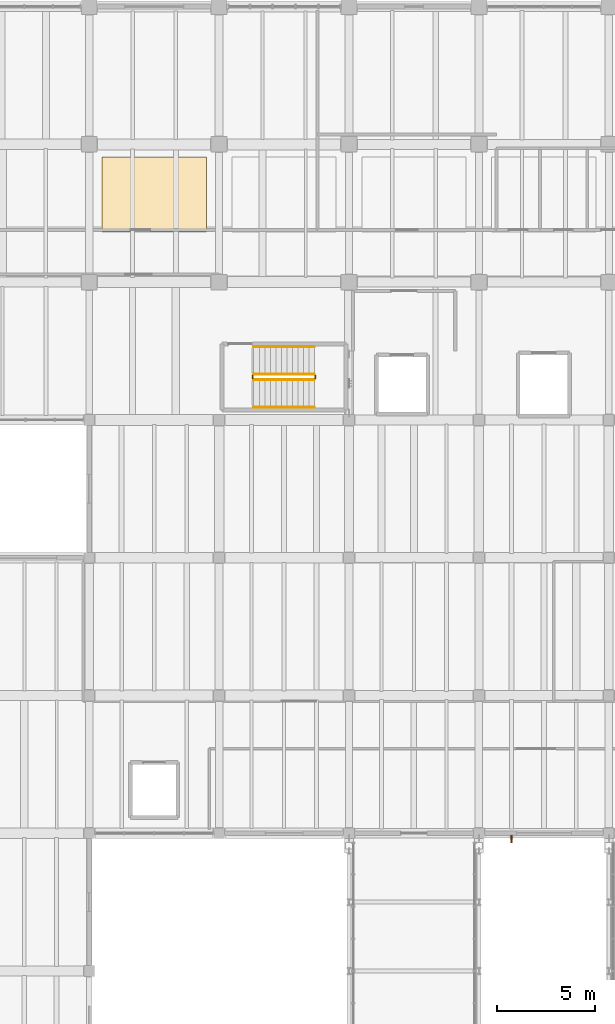
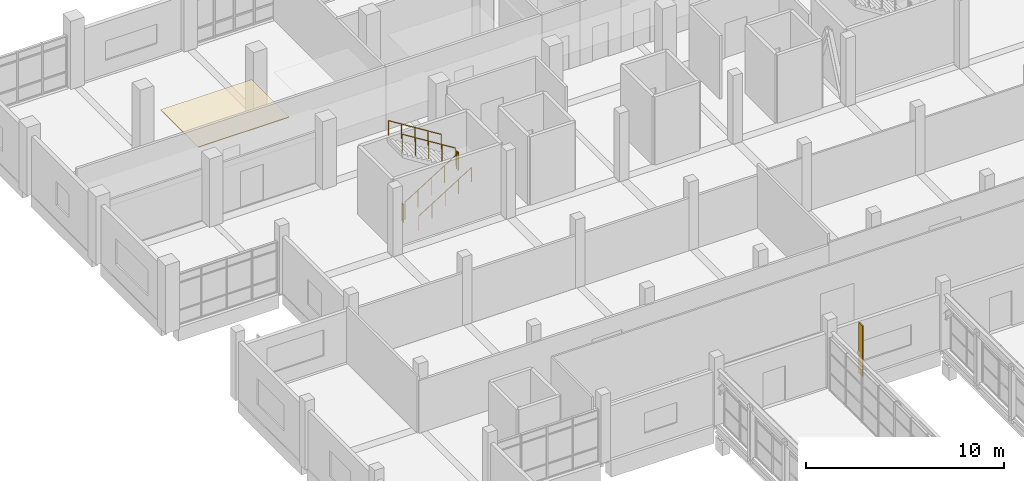
# One storey, part 65 of 67: 6 railings, 1 covering, 1 shading device.
"""IFC4 building model written with IfcOpenShell, lengths in metres."""

from ifc_helpers import new_model, si_unit, direction, frame, origin, origin_2d, place, context, subcontext, project, spatial, polyline, rectangle, circle, outline, extrude, material, layer, layer_set, material_profile, profile_set, type_object, element, save


model = new_model("IFC4")

# Units and contexts
model_context = context("Model", 3, precision=1e-05, world=origin(), true_north=direction((0.0, 1.0)))
body_context = subcontext(model_context, "Body", "Model", "MODEL_VIEW")
ifc_project = project(units=[si_unit("LENGTHUNIT", "METRE"), si_unit("AREAUNIT", "SQUARE_METRE"), si_unit("VOLUMEUNIT", "CUBIC_METRE"), si_unit("PLANEANGLEUNIT", "RADIAN"), si_unit("MASSUNIT", "GRAM", prefix="KILO")], contexts=[model_context])

# Site, building, storey
site_placement = place(None, origin())
site = spatial("IfcSite", under=ifc_project, at=site_placement, CompositionType="ELEMENT")
building_placement = place(site_placement, origin())
building = spatial("IfcBuilding", under=site, at=building_placement, Name="Ciguamira Faculty of Natural Sciences", CompositionType="ELEMENT")
storey_placement = place(building_placement, frame((0.0, 0.0, 8.39990234375)))
storey = spatial("IfcBuildingStorey", under=building, at=storey_placement, Name="L02", CompositionType="ELEMENT", Elevation=8.39990234375)

# Covering
ifc_material_1 = material(Name="Perforated white acoustic ceiling")
ifc_layer = layer(ifc_material_1, 0.0400390625, Name="Perforated white acoustic ceiling")
ifc_layer_set = layer_set([ifc_layer], Name="Perforated white acoustic ceiling")
covering_type = type_object("IfcCoveringType", Name="AcousticCeiling_AC01", PredefinedType="CEILING", material=ifc_layer_set)
covering_placement = place(storey_placement, frame((0.0, 0.0, 2.760009765625)))
element("IfcCovering", 1, at=covering_placement, inside=storey, type_object=covering_type, Name="L02 research bay 01 acoustic ceiling", PredefinedType="CEILING", context=body_context, shape_type="SweptSolid", body=[
    extrude(outline(polyline([(64.550048828125, 103.550048828125), (69.85009765625, 103.550048828125), (69.85009765625, 107.35009765625), (64.550048828125, 107.35009765625), (64.550048828125, 103.550048828125)])), origin(), (0.0, 0.0, 1.0), 0.0400390625),
])

# Railings
ifc_material_2 = material(Name="Stainless steel balustrade", Category="steel")
railing_type_1 = type_object("IfcRailingType", Name="Guardrail_GR01", PredefinedType="GUARDRAIL", material=ifc_material_2)
railing_1_placement = place(storey_placement, frame((72.260009765625, 96.050048828125, 0.175048828125)))
element("IfcRailing", 2, at=railing_1_placement, inside=storey, type_object=railing_type_1, Name="L02 ST-T1 stair guard 1", PredefinedType="GUARDRAIL", context=body_context, shape_type="SweptSolid", body=[
    extrude(circle(Radius=0.02392578125, at=origin_2d()), frame((0.0, 0.0, 1.076171875), z_axis=(0.847998304005, 0.0, 0.529998940003), x_axis=(0.0, 1.0, 0.0)), (0.0, 0.0, 1.0), 3.632080078125),
    extrude(circle(Radius=0.02099609375, at=origin_2d()), origin(), (0.0, 0.0, 1.0), 1.052001953125),
    extrude(circle(Radius=0.02099609375, at=origin_2d()), frame((0.77001953125, 0.0, 0.481201171875)), (0.0, 0.0, 1.0), 1.052001953125),
    extrude(circle(Radius=0.02099609375, at=origin_2d()), frame((1.5400390625, 0.0, 0.96240234375)), (0.0, 0.0, 1.0), 1.052001953125),
    extrude(circle(Radius=0.02099609375, at=origin_2d()), frame((2.31005859375, 0.0, 1.44384765625)), (0.0, 0.0, 1.0), 1.052001953125),
    extrude(circle(Radius=0.02099609375, at=origin_2d()), frame((3.080078125, 0.0, 1.925048828125)), (0.0, 0.0, 1.0), 1.052001953125),
])
railing_2_placement = place(storey_placement, frame((75.389892578125, 96.10009765625, 2.10009765625)))
element("IfcRailing", 3, at=railing_2_placement, inside=storey, type_object=railing_type_1, Name="L02 ST-T1 stair guard 2", PredefinedType="GUARDRAIL", context=body_context, shape_type="SweptSolid", body=[
    extrude(circle(Radius=0.02392578125, at=origin_2d()), frame((0.0, 0.0, 1.076171875), z_axis=(0.0, 1.0, 0.0), x_axis=(-1.0, 0.0, 0.0)), (0.0, 0.0, 1.0), 0.159912109375),
    extrude(circle(Radius=0.02099609375, at=origin_2d()), origin(), (0.0, 0.0, 1.0), 1.052001953125),
    extrude(circle(Radius=0.02099609375, at=origin_2d()), frame((0.0, 0.159912109375, 0.0)), (0.0, 0.0, 1.0), 1.052001953125),
])
railing_3_placement = place(storey_placement, frame((75.340087890625, 96.31005859375, 2.275146484375)))
element("IfcRailing", 4, at=railing_3_placement, inside=storey, type_object=railing_type_1, Name="L02 ST-T1 stair guard 3", PredefinedType="GUARDRAIL", context=body_context, shape_type="SweptSolid", body=[
    extrude(circle(Radius=0.02392578125, at=origin_2d()), frame((0.0, 0.0, 1.076171875), z_axis=(-0.847998304005, 0.0, 0.529998940003), x_axis=(0.0, -1.0, 0.0)), (0.0, 0.0, 1.0), 3.632080078125),
    extrude(circle(Radius=0.02099609375, at=origin_2d()), origin(), (0.0, 0.0, 1.0), 1.052001953125),
    extrude(circle(Radius=0.02099609375, at=origin_2d()), frame((-0.77001953125, 0.0, 0.481201171875)), (0.0, 0.0, 1.0), 1.052001953125),
    extrude(circle(Radius=0.02099609375, at=origin_2d()), frame((-1.5400390625, 0.0, 0.96240234375)), (0.0, 0.0, 1.0), 1.052001953125),
    extrude(circle(Radius=0.02099609375, at=origin_2d()), frame((-2.31005859375, 0.0, 1.44384765625)), (0.0, 0.0, 1.0), 1.052001953125),
    extrude(circle(Radius=0.02099609375, at=origin_2d()), frame((-3.080078125, 0.0, 1.925048828125)), (0.0, 0.0, 1.0), 1.052001953125),
])
railing_4_placement = place(storey_placement, frame((72.2099609375, 96.10009765625, 0.0)))
element("IfcRailing", 5, at=railing_4_placement, inside=storey, type_object=railing_type_1, Name="L02 ST-T1 stair guard 4", PredefinedType="GUARDRAIL", context=body_context, shape_type="SweptSolid", body=[
    extrude(circle(Radius=0.02392578125, at=origin_2d()), frame((0.0, 0.0, 1.076171875), z_axis=(0.0, 1.0, 0.0), x_axis=(-1.0, 0.0, 0.0)), (0.0, 0.0, 1.0), 0.159912109375),
    extrude(circle(Radius=0.02099609375, at=origin_2d()), origin(), (0.0, 0.0, 1.0), 1.052001953125),
    extrude(circle(Radius=0.02099609375, at=origin_2d()), frame((0.0, 0.159912109375, 0.0)), (0.0, 0.0, 1.0), 1.052001953125),
])
ifc_material_3 = material(Name="Stainless steel handrail", Category="steel")
railing_type_2 = type_object("IfcRailingType", Name="Handrail_HR01", PredefinedType="HANDRAIL", material=ifc_material_3)
railing_5_placement = place(storey_placement, frame((72.260009765625, 94.64990234375, 0.35009765625)))
element("IfcRailing", 6, at=railing_5_placement, inside=storey, type_object=railing_type_2, Name="L02 ST-T1 stair handrail 1", PredefinedType="HANDRAIL", context=body_context, shape_type="SweptSolid", body=[
    extrude(circle(Radius=0.02392578125, at=origin_2d()), frame((0.0, 0.0, 0.89111328125), z_axis=(0.847998304005, 0.0, 0.529998940003), x_axis=(0.0, 1.0, 0.0)), (0.0, 0.0, 1.0), 3.632080078125),
    extrude(circle(Radius=0.02099609375, at=origin_2d()), origin(), (0.0, 0.0, 1.0), 0.866943359375),
    extrude(circle(Radius=0.02099609375, at=origin_2d()), frame((0.77001953125, 0.0, 0.481201171875)), (0.0, 0.0, 1.0), 0.866943359375),
    extrude(circle(Radius=0.02099609375, at=origin_2d()), frame((1.5400390625, 0.0, 0.96240234375)), (0.0, 0.0, 1.0), 0.866943359375),
    extrude(circle(Radius=0.02099609375, at=origin_2d()), frame((2.31005859375, 0.0, 1.44384765625)), (0.0, 0.0, 1.0), 0.866943359375),
    extrude(circle(Radius=0.02099609375, at=origin_2d()), frame((3.080078125, 0.0, 1.925048828125)), (0.0, 0.0, 1.0), 0.866943359375),
])
railing_6_placement = place(storey_placement, frame((75.340087890625, 97.7099609375, 2.4501953125)))
element("IfcRailing", 7, at=railing_6_placement, inside=storey, type_object=railing_type_2, Name="L02 ST-T1 stair handrail 2", PredefinedType="HANDRAIL", context=body_context, shape_type="SweptSolid", body=[
    extrude(circle(Radius=0.02392578125, at=origin_2d()), frame((0.0, 0.0, 0.89111328125), z_axis=(-0.848028513186, 0.0, 0.529950602248), x_axis=(0.0, -1.0, 0.0)), (0.0, 0.0, 1.0), 3.632080078125),
    extrude(circle(Radius=0.02099609375, at=origin_2d()), origin(), (0.0, 0.0, 1.0), 0.866943359375),
    extrude(circle(Radius=0.02099609375, at=origin_2d()), frame((-0.77001953125, 0.0, 0.481201171875)), (0.0, 0.0, 1.0), 0.866943359375),
    extrude(circle(Radius=0.02099609375, at=origin_2d()), frame((-1.5400390625, 0.0, 0.96240234375)), (0.0, 0.0, 1.0), 0.866943359375),
    extrude(circle(Radius=0.02099609375, at=origin_2d()), frame((-2.31005859375, 0.0, 1.443603515625)), (0.0, 0.0, 1.0), 0.866943359375),
    extrude(circle(Radius=0.02099609375, at=origin_2d()), frame((-3.080078125, 0.0, 1.9248046875)), (0.0, 0.0, 1.0), 0.866943359375),
])

# Shading device
ifc_material_4 = material(Name="Anodized bronze sunshade fin")
ifc_material_profile = material_profile(ifc_material_4, rectangle(XDim=0.06494140625, YDim=0.3798828125, at=origin_2d()), Name="BRZ-FIN-65X380")
ifc_profile_set = profile_set([ifc_material_profile], Name="Anodized bronze sunshade fin")
shading_device_type = type_object("IfcShadingDeviceType", Name="SunFin_SF01", PredefinedType="USERDEFINED", material=ifc_profile_set)
shading_device_placement = place(storey_placement, frame((85.35009765625, 72.699951171875, 0.2001953125), z_axis=(0.0, 0.0, 1.0), x_axis=(1.0, 0.0, 0.0)))
element("IfcShadingDevice", 8, at=shading_device_placement, inside=storey, type_object=shading_device_type, Name="L02 bronze vertical sunshade fin 0021", ObjectType="SUNSHADE FIN", PredefinedType="USERDEFINED", context=body_context, shape_type="SweptSolid", body=[
    extrude(rectangle(XDim=0.06494140625, YDim=0.3798828125, at=origin_2d()), origin(), (0.0, 0.0, 1.0), 3.114990234375),
])

save(model, "model.ifc")
